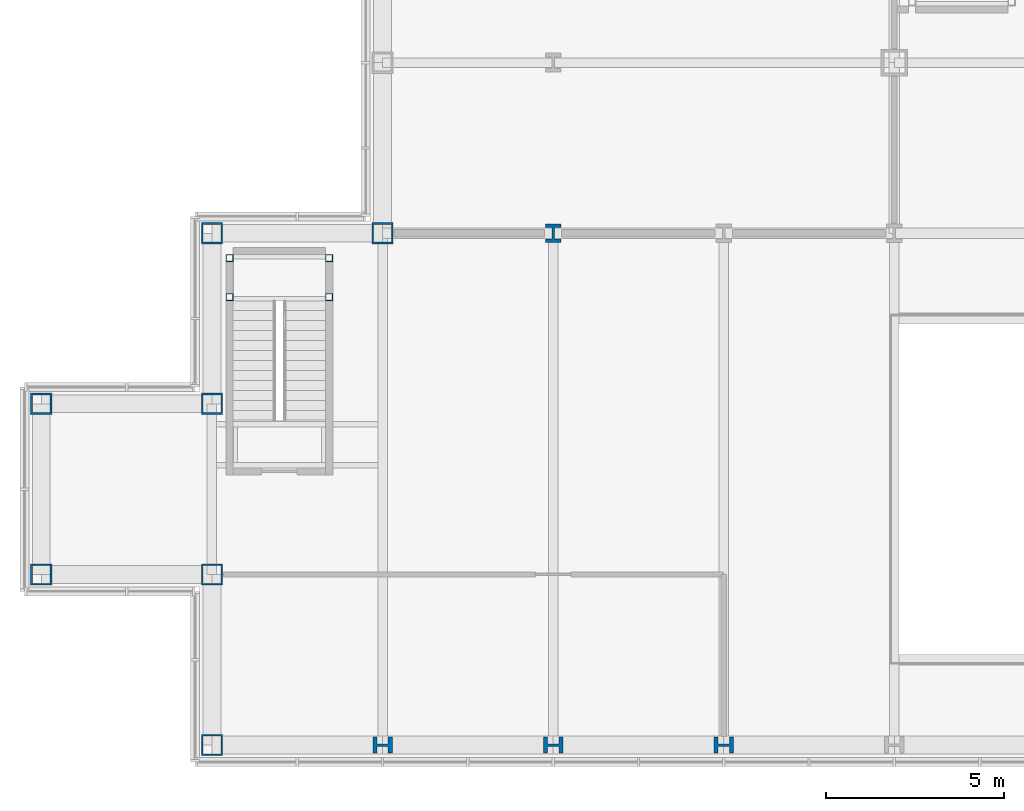
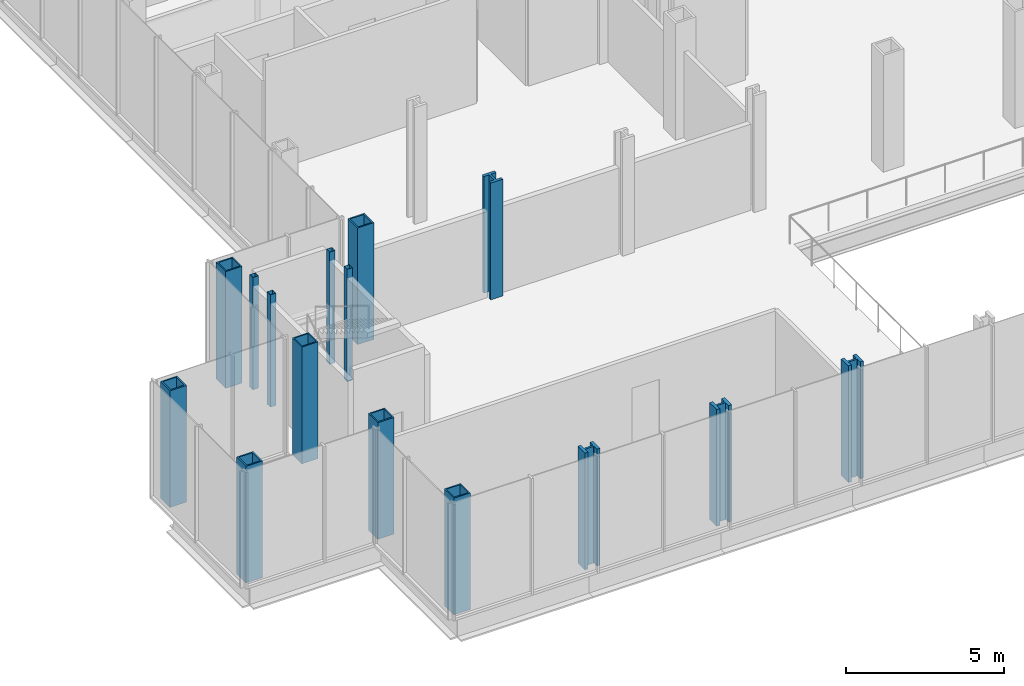
# One storey, part 1 of 25: 15 columns.
"""IFC4 building model written with IfcOpenShell, lengths in metres."""

from ifc_helpers import new_model, si_unit, direction, frame, origin, origin_2d, place, context, subcontext, project, spatial, hollow_rectangle, i_section, extrude, material, material_profile, profile_set, type_object, element, save


model = new_model("IFC4")

# Units and contexts
model_context = context("Model", 3, precision=1e-05, world=origin(), true_north=direction((0.0, 1.0)))
body_context = subcontext(model_context, "Body", "Model", "MODEL_VIEW")
ifc_project = project(units=[si_unit("LENGTHUNIT", "METRE"), si_unit("AREAUNIT", "SQUARE_METRE"), si_unit("VOLUMEUNIT", "CUBIC_METRE"), si_unit("PLANEANGLEUNIT", "RADIAN"), si_unit("MASSUNIT", "GRAM", prefix="KILO")], contexts=[model_context])

# Site, building, storey
site_placement = place(None, origin())
site = spatial("IfcSite", under=ifc_project, at=site_placement, CompositionType="ELEMENT")
building_placement = place(site_placement, origin())
building = spatial("IfcBuilding", under=site, at=building_placement, Name="Kvirike Care Tower", CompositionType="ELEMENT")
storey_placement = place(building_placement, frame((0.0, 0.0, 9.0)))
storey = spatial("IfcBuildingStorey", under=building, at=storey_placement, Name="L02", CompositionType="ELEMENT", Elevation=9.0)

# Columns
ifc_material_1 = material(Name="Steel S460", Category="steel")
ifc_material_profile_1 = material_profile(ifc_material_1, hollow_rectangle(XDim=0.60009765625, YDim=0.60009765625, WallThickness=0.050048828125, at=origin_2d()), Name="BX 600x600x50")
ifc_profile_set_1 = profile_set([ifc_material_profile_1], Name="Steel S460")
column_type_1 = type_object("IfcColumnType", Name="COLUMN BX 600x600x50", PredefinedType="COLUMN", material=ifc_profile_set_1)
for number, where, z_axis, x_axis, name in (
    (1, (-9.60009765625, 4.800048828125, 0.0), (0.0, 0.0, 1.0), (0.0, 1.0, 0.0), "Column B1 L02"),
    (2, (-9.60009765625, 9.60009765625, 0.0), (0.0, 0.0, 1.0), (0.0, 1.0, 0.0), "Column C1 L02"),
    (3, (-4.800048828125, 0.0, 0.0), (0.0, 0.0, 1.0), (0.0, 1.0, 0.0), "Column A2 L02"),
    (4, (-4.800048828125, 4.800048828125, 0.0), (0.0, 0.0, 1.0), (0.0, 1.0, 0.0), "Column B2 L02"),
    (5, (-4.800048828125, 9.60009765625, 0.0), (0.0, 0.0, 1.0), (0.0, 1.0, 0.0), "Column C2 L02"),
    (6, (-4.800048828125, 14.39990234375, 0.0), (0.0, 0.0, 1.0), (0.0, 1.0, 0.0), "Column D2 L02"),
    (7, (0.0, 14.39990234375, 0.0), (0.0, 0.0, 1.0), (0.0, 1.0, 0.0), "Column D3 L02"),
):
    element("IfcColumn", number, at=place(storey_placement, frame(where, z_axis=z_axis, x_axis=x_axis)), inside=storey, type_object=column_type_1, Name=name, PredefinedType="COLUMN", context=body_context, shape_type="SweptSolid", body=[
        extrude(hollow_rectangle(XDim=0.60009765625, YDim=0.60009765625, WallThickness=0.050048828125, at=origin_2d()), origin(), (0.0, 0.0, 1.0), 4.5),
    ])
ifc_material_2 = material(Name="Steel S460", Category="steel")
ifc_material_profile_2 = material_profile(ifc_material_2, i_section(OverallWidth=0.44189453125, OverallDepth=0.531005859375, WebThickness=0.06591796875, FlangeThickness=0.10595703125, FilletRadius=0.014892578125, at=origin_2d()), Name="HD 400x900")
ifc_profile_set_2 = profile_set([ifc_material_profile_2], Name="Steel S460")
column_type_2 = type_object("IfcColumnType", Name="COLUMN HD 400x900", PredefinedType="COLUMN", material=ifc_profile_set_2)
column_placement = place(storey_placement, frame((4.800048828125, 14.39990234375, 0.0), z_axis=(0.0, 0.0, 1.0), x_axis=(1.0, 0.0, 0.0)))
element("IfcColumn", 8, at=column_placement, inside=storey, type_object=column_type_2, Name="Column D4 L02", PredefinedType="COLUMN", context=body_context, shape_type="SweptSolid", body=[
    extrude(i_section(OverallWidth=0.44189453125, OverallDepth=0.531005859375, WebThickness=0.06591796875, FlangeThickness=0.10595703125, FilletRadius=0.014892578125, at=origin_2d()), origin(), (0.0, 0.0, 1.0), 4.5),
])
ifc_material_3 = material(Name="Steel S460", Category="steel")
ifc_material_profile_3 = material_profile(ifc_material_3, i_section(OverallWidth=0.447998046875, OverallDepth=0.550048828125, WebThickness=0.072021484375, FlangeThickness=0.114990234375, FilletRadius=0.014892578125, at=origin_2d()), Name="HD 400x990")
ifc_profile_set_3 = profile_set([ifc_material_profile_3], Name="Steel S460")
column_type_3 = type_object("IfcColumnType", Name="COLUMN HD 400x990", PredefinedType="COLUMN", material=ifc_profile_set_3)
for number, where, z_axis, x_axis, name in (
    (9, (0.0, 0.0, 0.0), (0.0, 0.0, 1.0), (0.0, 1.0, 0.0), "Column A3 L02"),
    (10, (4.800048828125, 0.0, 0.0), (0.0, 0.0, 1.0), (0.0, 1.0, 0.0), "Column A4 L02"),
    (11, (9.60009765625, 0.0, 0.0), (0.0, 0.0, 1.0), (0.0, 1.0, 0.0), "Column A5 L02"),
):
    element("IfcColumn", number, at=place(storey_placement, frame(where, z_axis=z_axis, x_axis=x_axis)), inside=storey, type_object=column_type_3, Name=name, PredefinedType="COLUMN", context=body_context, shape_type="SweptSolid", body=[
        extrude(i_section(OverallWidth=0.447998046875, OverallDepth=0.550048828125, WebThickness=0.072021484375, FlangeThickness=0.114990234375, FilletRadius=0.014892578125, at=origin_2d()), origin(), (0.0, 0.0, 1.0), 4.5),
    ])
ifc_material_4 = material(Name="Steel S460", Category="steel")
ifc_material_profile_4 = material_profile(ifc_material_4, hollow_rectangle(XDim=0.199951171875, YDim=0.199951171875, WallThickness=0.008056640625, at=origin_2d()), Name="SHS 200x200x8")
ifc_profile_set_4 = profile_set([ifc_material_profile_4], Name="Steel S460")
column_type_4 = type_object("IfcColumnType", Name="STAIR POST SHS 200x200x8", PredefinedType="COLUMN", material=ifc_profile_set_4)
for number, where, z_axis, x_axis, name in (
    (12, (-4.300048828125, 13.699951171875, 0.0), (0.0, 0.0, 1.0), (1.0, 0.0, 0.0), "Stair 3 post 1 L02"),
    (13, (-1.5, 13.699951171875, 0.0), (0.0, 0.0, 1.0), (1.0, 0.0, 0.0), "Stair 3 post 2 L02"),
    (14, (-4.300048828125, 12.60009765625, 0.0), (0.0, 0.0, 1.0), (1.0, 0.0, 0.0), "Stair 3 post 3 L02"),
    (15, (-1.5, 12.60009765625, 0.0), (0.0, 0.0, 1.0), (1.0, 0.0, 0.0), "Stair 3 post 4 L02"),
):
    element("IfcColumn", number, at=place(storey_placement, frame(where, z_axis=z_axis, x_axis=x_axis)), inside=storey, type_object=column_type_4, Name=name, PredefinedType="COLUMN", context=body_context, shape_type="SweptSolid", body=[
        extrude(hollow_rectangle(XDim=0.199951171875, YDim=0.199951171875, WallThickness=0.008056640625, at=origin_2d()), origin(), (0.0, 0.0, 1.0), 4.330078125),
    ])

save(model, "model.ifc")
